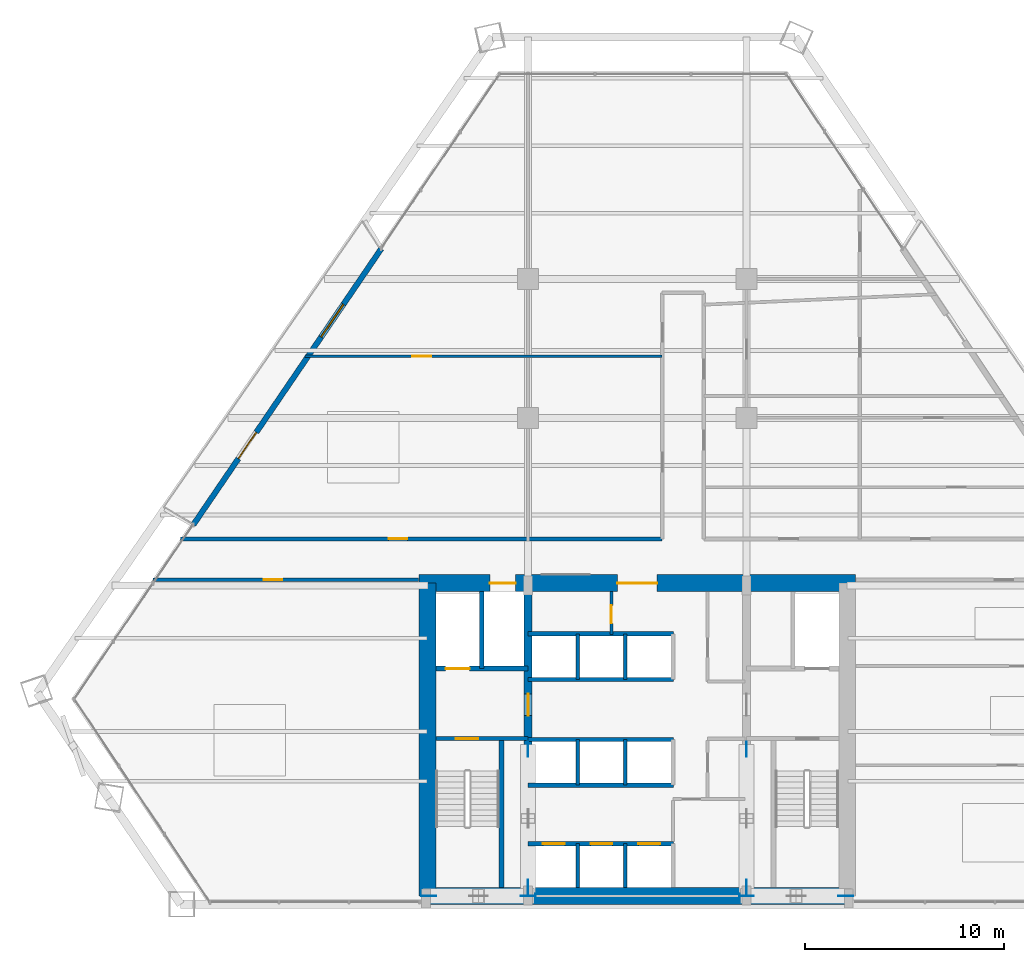
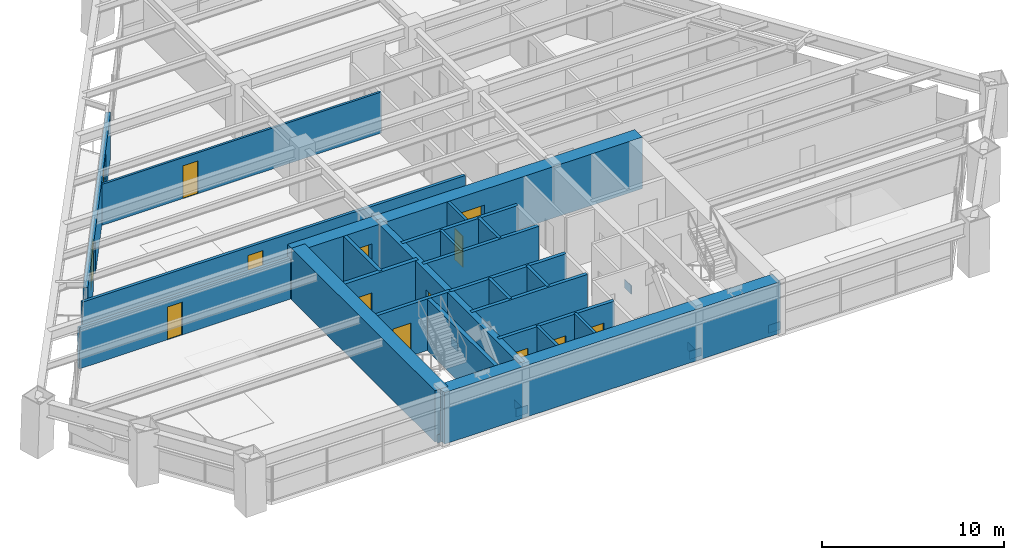
# One storey, part 10 of 14: 24 walls, 13 doors, 8 plates, 1 window, 14 openings.
"""IFC4 building model written with IfcOpenShell, lengths in metres."""

import ifcopenshell
import ifcopenshell.guid

model = None  # the IFC model being written
_history = None  # IfcOwnerHistory: only IFC2X3 demands one
_inside = {}  # id of a spatial element -> (the spatial element, [elements in it])
_under = {}  # id of a project, library or spatial element -> (it, [spatial elements below it])
_declared = {}  # id of a project -> (the project, [libraries it declares])
_typed = {}  # id of a type object -> (the type object, [elements of that type])
_made_of = {}  # id of a material, layer set ... -> (it, [elements and type objects made of it])


def new_model(schema):
    """Start an empty IFC model of exactly this schema.

    Asked for "IFC4X3", IfcOpenShell would pick the latest addendum, in which some entities
    have other attributes; the version numbers below select the first issue.
    IFC2X3 requires an IfcOwnerHistory on every rooted entity: one is made here for all.
    """
    global model, _history
    if schema == "IFC4X3":
        model = ifcopenshell.file(schema_version=(4, 3, 0, 0))
    else:
        model = ifcopenshell.file(schema=schema)
    _inside.clear()
    _under.clear()
    _declared.clear()
    _typed.clear()
    _made_of.clear()
    _history = None
    if model.schema == "IFC2X3":
        org = make("IfcOrganization", Name="unknown")
        user = make(
            "IfcPersonAndOrganization",
            ThePerson=make("IfcPerson", FamilyName="unknown"),
            TheOrganization=org,
        )
        app = make(
            "IfcApplication",
            ApplicationDeveloper=org,
            Version="unknown",
            ApplicationFullName="unknown",
            ApplicationIdentifier="unknown",
        )
        _history = make(
            "IfcOwnerHistory",
            OwningUser=user,
            OwningApplication=app,
            ChangeAction="ADDED",
            CreationDate=0,
        )
    return model


def make(cls, **values):
    """One entity of the class cls with the attributes given. An attribute that is None is left unset."""
    return model.create_entity(
        cls, **{name: value for name, value in values.items() if value is not None}
    )


def rooted(cls, **values):
    """An entity with a GlobalId (a new one), such as an element, a storey or a relation."""
    return make(cls, GlobalId=ifcopenshell.guid.new(), OwnerHistory=_history, **values)


def si_unit(unit_type, name, prefix=None):
    """IfcSIUnit, for example si_unit("LENGTHUNIT", "METRE", prefix="MILLI")."""
    return make("IfcSIUnit", UnitType=unit_type, Prefix=prefix, Name=name)


def assignment(units):
    """IfcUnitAssignment: the units of a project."""
    return None if units is None else make("IfcUnitAssignment", Units=units)


def point(xyz):
    """IfcCartesianPoint."""
    return None if xyz is None else make("IfcCartesianPoint", Coordinates=xyz)


def direction(xyz):
    """IfcDirection."""
    return None if xyz is None else make("IfcDirection", DirectionRatios=xyz)


def frame(location, z_axis=None, x_axis=None):
    """IfcAxis2Placement3D, a coordinate frame: its origin and axes. An axis left out is left unset."""
    return make(
        "IfcAxis2Placement3D",
        Location=point(location),
        Axis=direction(z_axis),
        RefDirection=direction(x_axis),
    )


def frame_2d(location, x_axis=None):
    """IfcAxis2Placement2D, a coordinate frame in the plane: its origin and x axis."""
    return make(
        "IfcAxis2Placement2D", Location=point(location), RefDirection=direction(x_axis)
    )


def origin():
    """The frame at (0, 0, 0) with its axes left unset."""
    return frame((0.0, 0.0, 0.0))


def origin_2d():
    """The frame at (0, 0) in the plane with its x axis left unset."""
    return frame_2d((0.0, 0.0))


def place(relative_to, where):
    """IfcLocalPlacement: puts the frame where relative to a parent placement (None: the world)."""
    return make(
        "IfcLocalPlacement", PlacementRelTo=relative_to, RelativePlacement=where
    )


def context(
    kind, dimensions, precision=None, world=None, true_north=None, identifier=None
):
    """IfcGeometricRepresentationContext, for example the 3D "Model" context."""
    return make(
        "IfcGeometricRepresentationContext",
        ContextIdentifier=identifier,
        ContextType=kind,
        CoordinateSpaceDimension=dimensions,
        Precision=precision,
        WorldCoordinateSystem=world,
        TrueNorth=true_north,
    )


def subcontext(parent, identifier, kind, view, scale=None):
    """IfcGeometricRepresentationSubContext, for example "Body" below "Model"."""
    return make(
        "IfcGeometricRepresentationSubContext",
        ContextIdentifier=identifier,
        ContextType=kind,
        ParentContext=parent,
        TargetScale=scale,
        TargetView=view,
    )


def project(units=None, contexts=None):
    """IfcProject with its units and contexts."""
    return rooted(
        "IfcProject",
        Name="project",
        RepresentationContexts=contexts,
        UnitsInContext=assignment(units),
    )


def spatial(cls, under=None, at=None, **own):
    """A site, building, storey or space (cls), placed at a placement, below another one or the project."""
    s = rooted(cls, ObjectPlacement=at, **own)
    if under is not None:
        _under.setdefault(under.id(), (under, []))[1].append(s)
    return s


def profile(cls, at=None, kind="AREA", **sizes):
    """A parametric profile (cls). Its sizes go by their IFC names, for example OverallWidth=200.0."""
    return make(cls, ProfileType=kind, Position=at, **sizes)


def rectangle(**sizes):
    """IfcRectangleProfileDef."""
    return profile("IfcRectangleProfileDef", **sizes)


def extrude(swept, where, along, depth):
    """IfcExtrudedAreaSolid: the profile swept, set in the frame where, extruded along a direction by depth."""
    return make(
        "IfcExtrudedAreaSolid",
        SweptArea=swept,
        Position=where,
        ExtrudedDirection=direction(along),
        Depth=depth,
    )


def shape(context_of_items, identifier, shape_type, items):
    """IfcShapeRepresentation: the items that make up one representation, for example the "Body"."""
    return make(
        "IfcShapeRepresentation",
        ContextOfItems=context_of_items,
        RepresentationIdentifier=identifier,
        RepresentationType=shape_type,
        Items=items,
    )


def source(mapping_origin, context_of_items, identifier, shape_type, items):
    """IfcRepresentationMap: a shape defined once, which mapped items show again and again."""
    return make(
        "IfcRepresentationMap",
        MappingOrigin=mapping_origin,
        MappedRepresentation=shape(context_of_items, identifier, shape_type, items),
    )


def transform(
    local_origin,
    x_axis=None,
    y_axis=None,
    z_axis=None,
    scale=None,
    scale2=None,
    scale3=None,
    uniform=True,
):
    """IfcCartesianTransformationOperator3D, or its non-uniform kind. x_axis, y_axis, z_axis: its Axis1, 2, 3."""
    if uniform:
        return make(
            "IfcCartesianTransformationOperator3D",
            Axis1=direction(x_axis),
            Axis2=direction(y_axis),
            LocalOrigin=point(local_origin),
            Scale=scale,
            Axis3=direction(z_axis),
        )
    return make(
        "IfcCartesianTransformationOperator3DnonUniform",
        Axis1=direction(x_axis),
        Axis2=direction(y_axis),
        LocalOrigin=point(local_origin),
        Scale=scale,
        Axis3=direction(z_axis),
        Scale2=scale2,
        Scale3=scale3,
    )


def mapped(mapping_source, mapping_target):
    """IfcMappedItem: shows the shape of a source again, moved by a transform."""
    return make(
        "IfcMappedItem", MappingSource=mapping_source, MappingTarget=mapping_target
    )


def material(Name=None, Category=None):
    """IfcMaterial."""
    return make("IfcMaterial", Name=Name, Category=Category)


def layer(
    of_material, thickness, ventilated=None, Name=None, Category=None, Priority=None
):
    """IfcMaterialLayer: one layer of a wall or slab, of a material (None: an air gap)."""
    return make(
        "IfcMaterialLayer",
        Material=of_material,
        LayerThickness=thickness,
        IsVentilated=ventilated,
        Name=Name,
        Category=Category,
        Priority=Priority,
    )


def layer_set(layers, Name=None):
    """IfcMaterialLayerSet."""
    return make("IfcMaterialLayerSet", MaterialLayers=layers, LayerSetName=Name)


def made_of(thing, what):
    """Note that an element or type object is made of a material, layer set ...; save() writes the relation."""
    if what is not None:
        _made_of.setdefault(what.id(), (what, []))[1].append(thing)
    return thing


def type_object(cls, material=None, **own):
    """A type object (cls), such as IfcWallType, which elements share."""
    return made_of(rooted(cls, **own), material)


def type_shapes(of_type, sources):
    """Give a type object the sources (RepresentationMaps) that its elements show as mapped items."""
    of_type.RepresentationMaps = sources


def element(
    cls,
    number,
    at=None,
    inside=None,
    cuts=None,
    type_object=None,
    material=None,
    context=None,
    identifier="Body",
    shape_type=None,
    held_by="IfcProductDefinitionShape",
    body=None,
    shapes=None,
    **own,
):
    """One element of the class cls, such as IfcWall. Its Tag is "e" and its number.

    at: its placement. inside: the storey or other place that contains it. cuts: it is an
    opening in that element (IfcRelVoidsElement). A single representation is given by context,
    identifier, shape_type and body (its items); several are given by shapes. held_by: the class
    of the entity that holds the representations. save() writes the other relations.
    """
    e = rooted(cls, Tag="e%d" % number, ObjectPlacement=at, **own)
    if body is not None:
        shapes = [shape(context, identifier, shape_type, body)]
    if shapes is not None:
        e.Representation = make(held_by, Representations=shapes)
    if inside is not None:
        _inside.setdefault(inside.id(), (inside, []))[1].append(e)
    if cuts is not None:
        rooted(
            "IfcRelVoidsElement", RelatingBuildingElement=cuts, RelatedOpeningElement=e
        )
    if type_object is not None:
        _typed.setdefault(type_object.id(), (type_object, []))[1].append(e)
    return made_of(e, material)


def fill(opening, filler):
    """IfcRelFillsElement: the door or window that sits in an opening."""
    return rooted(
        "IfcRelFillsElement",
        RelatingOpeningElement=opening,
        RelatedBuildingElement=filler,
    )


def aggregate(whole, parts):
    """IfcRelAggregates: a whole, such as a stair, and the parts it consists of."""
    return rooted("IfcRelAggregates", RelatingObject=whole, RelatedObjects=parts)


def save(model, path):
    """Write the relations noted so far, then the file.

    IfcRelAggregates (storeys below a building ...), IfcRelContainedInSpatialStructure (elements
    in a storey), IfcRelDefinesByType, IfcRelAssociatesMaterial and IfcRelDeclares: one each for
    every whole, place, type object, material and project.
    """
    for whole, parts in _under.values():
        aggregate(whole, parts)
    for where, things in _inside.values():
        rooted(
            "IfcRelContainedInSpatialStructure",
            RelatedElements=things,
            RelatingStructure=where,
        )
    for kind, things in _typed.values():
        rooted("IfcRelDefinesByType", RelatedObjects=things, RelatingType=kind)
    for what, things in _made_of.values():
        rooted("IfcRelAssociatesMaterial", RelatedObjects=things, RelatingMaterial=what)
    for by, libraries in _declared.values():
        rooted("IfcRelDeclares", RelatingContext=by, RelatedDefinitions=libraries)
    model.write(path)


model = new_model("IFC4")

# Units and contexts
model_context = context("Model", 3, precision=1e-05, world=origin(), true_north=direction((0.0, 1.0)))
body_context = subcontext(model_context, "Body", "Model", "MODEL_VIEW")
ifc_project = project(units=[si_unit("LENGTHUNIT", "METRE"), si_unit("AREAUNIT", "SQUARE_METRE"), si_unit("VOLUMEUNIT", "CUBIC_METRE"), si_unit("PLANEANGLEUNIT", "RADIAN"), si_unit("MASSUNIT", "GRAM", prefix="KILO")], contexts=[model_context])

# Site, building, storey
site_placement = place(None, origin())
site = spatial("IfcSite", under=ifc_project, at=site_placement, CompositionType="ELEMENT")
building_placement = place(site_placement, origin())
building = spatial("IfcBuilding", under=site, at=building_placement, Name="Varnakhor Terracotta Tower", CompositionType="ELEMENT")
storey_placement = place(building_placement, frame((0.0, 0.0, 53.39990234375)))
storey = spatial("IfcBuildingStorey", under=building, at=storey_placement, Name="L12", CompositionType="ELEMENT", Elevation=53.39990234375)

# Plates
ifc_material_1 = material(Name="Steel S460", Category="steel")
ifc_layer_1 = layer(ifc_material_1, 0.050048828125, Name="Steel S460")
ifc_layer_set_1 = layer_set([ifc_layer_1], Name="Steel S460")
plate_type = type_object("IfcPlateType", Name="PLT-GUSSET-50", PredefinedType="USERDEFINED", material=ifc_layer_set_1)
shared_shape_1 = source(origin(), body_context, "Body", "SweptSolid", [
    extrude(rectangle(XDim=0.75, YDim=0.0400390625, at=origin_2d()), origin(), (0.0, 0.0, 1.0), 0.550048828125),
])
type_shapes(plate_type, [shared_shape_1])
for number, where, z_axis, x_axis, name in (
    (1, (-10.5, 0.419921875, -0.0947265625), (0.0, 0.0, 1.0), (1.0, 0.0, 0.0), "L12 Core Brace Embed Plate CSWA"),
    (2, (-5.5, 0.419921875, -0.0947265625), (0.0, 0.0, 1.0), (1.0, 0.0, 0.0), "L12 Core Brace Embed Plate CSWB"),
    (3, (5.5, 0.419921875, -0.0947265625), (0.0, 0.0, 1.0), (1.0, 0.0, 0.0), "L12 Core Brace Embed Plate CSEA"),
    (4, (10.5, 0.419921875, -0.0947265625), (0.0, 0.0, 1.0), (1.0, 0.0, 0.0), "L12 Core Brace Embed Plate CSEB"),
    (5, (-5.5, 0.85009765625, -0.0947265625), (0.0, 0.0, 1.0), (0.0, 1.0, 0.0), "L12 Core Brace Embed Plate CWWA"),
    (6, (-5.5, 7.800048828125, -0.0947265625), (0.0, 0.0, 1.0), (0.0, 1.0, 0.0), "L12 Core Brace Embed Plate CWWB"),
    (7, (5.5, 0.85009765625, -0.0947265625), (0.0, 0.0, 1.0), (0.0, 1.0, 0.0), "L12 Core Brace Embed Plate CWEA"),
    (8, (5.5, 7.800048828125, -0.0947265625), (0.0, 0.0, 1.0), (0.0, 1.0, 0.0), "L12 Core Brace Embed Plate CWEB"),
):
    element("IfcPlate", number, at=place(storey_placement, frame(where, z_axis=z_axis, x_axis=x_axis)), inside=storey, type_object=plate_type, Name=name, ObjectType="GUSSET PLATE", PredefinedType="USERDEFINED", context=body_context, shape_type="MappedRepresentation", body=[
        mapped(shared_shape_1, transform((0.0, 0.0, 0.0), scale=1.0)),
    ])

# Wall
ifc_material_2 = material(Name="Concrete C60/75", Category="concrete")
ifc_layer_2 = layer(ifc_material_2, 0.85009765625, Name="Concrete C60/75")
ifc_layer_set_2 = layer_set([ifc_layer_2], Name="Concrete C60/75")
wall_type_1 = type_object("IfcWallType", Name="WAL-CORE-850", PredefinedType="SHEAR", material=ifc_layer_set_2)
wall_1_placement = place(storey_placement, frame((-10.64990234375, 0.425048828125, 0.0), z_axis=(0.0, 0.0, 1.0), x_axis=(1.0, 0.0, 0.0)))
element("IfcWall", 9, at=wall_1_placement, inside=storey, type_object=wall_type_1, Name="L12 South Core Shear Wall", PredefinedType="SHEAR", context=body_context, shape_type="SweptSolid", body=[
    extrude(rectangle(XDim=21.2998046875, YDim=0.85009765625, at=frame_2d((10.64990234375, 0.0))), origin(), (0.0, 0.0, 1.0), 3.4501953125),
])

# Wall, openings, doors
wall_2_placement = place(storey_placement, frame((-11.0, 16.175048828125, 0.0), z_axis=(0.0, 0.0, 1.0), x_axis=(1.0, 0.0, 0.0)))
wall_2 = element("IfcWall", 10, at=wall_2_placement, inside=storey, type_object=wall_type_1, Name="L12 North Core Shear Wall", PredefinedType="SHEAR", context=body_context, shape_type="SweptSolid", body=[
    extrude(rectangle(XDim=22.0, YDim=0.85009765625, at=frame_2d((11.0, 0.0))), origin(), (0.0, 0.0, 1.0), 3.4501953125),
])
opening_1_placement = place(wall_2_placement, frame((3.570068359375, 0.0, 0.0)))
opening_1 = element("IfcOpeningElement", 11, at=opening_1_placement, cuts=wall_2, Name="Opening LD-03", PredefinedType="OPENING", context=body_context, shape_type="SweptSolid", body=[
    extrude(rectangle(XDim=1.300048828125, YDim=2.300048828125, at=frame_2d((0.64990234375, 1.14990234375))), frame((0.0, 0.43505859375, 0.0), z_axis=(0.0, -1.0, 0.0), x_axis=(1.0, 0.0, 0.0)), (0.0, 0.0, 1.0), 0.8701171875),
])
opening_2_placement = place(wall_2_placement, frame((10.0, 0.0, 0.0)))
opening_2 = element("IfcOpeningElement", 12, at=opening_2_placement, cuts=wall_2, Name="Opening DR-32", PredefinedType="OPENING", context=body_context, shape_type="SweptSolid", body=[
    extrude(rectangle(XDim=2.0, YDim=2.39990234375, at=frame_2d((1.0, 1.199951171875))), frame((0.0, 0.43505859375, 0.0), z_axis=(0.0, -1.0, 0.0), x_axis=(1.0, 0.0, 0.0)), (0.0, 0.0, 1.0), 0.8701171875),
])
ifc_material_3 = material(Name="Heavy-Duty Goods Sliding Lift Landing Door", Category="steel")
door_type_1 = type_object("IfcDoorType", Name="LD-SRV-1300X2300", OperationType="NOTDEFINED", PredefinedType="DOOR", material=ifc_material_3)
shared_shape_2 = source(origin(), body_context, "Body", "SweptSolid", [
    extrude(rectangle(XDim=1.300048828125, YDim=2.300048828125, at=frame_2d((0.64990234375, 1.14990234375))), frame((0.0, 0.02490234375, 0.0), z_axis=(0.0, -1.0, 0.0), x_axis=(1.0, 0.0, 0.0)), (0.0, 0.0, 1.0), 0.050048828125),
])
type_shapes(door_type_1, [shared_shape_2])
door_1_placement = place(opening_1_placement, origin())
door_1 = element("IfcDoor", 13, at=door_1_placement, inside=storey, type_object=door_type_1, Name="L12 Service Lift SVL-1 Landing Door", OperationType="SLIDING_TO_RIGHT", OverallHeight=2.300048828125, OverallWidth=1.300048828125, PredefinedType="DOOR", context=body_context, shape_type="MappedRepresentation", body=[
    mapped(shared_shape_2, transform((0.0, 0.0, 0.0), scale=1.0)),
])
fill(opening_1, door_1)
ifc_material_4 = material(Name="Acoustic Double Assembly Fire Door", Category="wood")
door_type_2 = type_object("IfcDoorType", Name="DR-HALL-2000X2400", OperationType="NOTDEFINED", PredefinedType="DOOR", material=ifc_material_4)
shared_shape_3 = source(origin(), body_context, "Body", "SweptSolid", [
    extrude(rectangle(XDim=2.0, YDim=2.39990234375, at=frame_2d((1.0, 1.199951171875))), frame((0.0, 0.02490234375, 0.0), z_axis=(0.0, -1.0, 0.0), x_axis=(1.0, 0.0, 0.0)), (0.0, 0.0, 1.0), 0.050048828125),
])
type_shapes(door_type_2, [shared_shape_3])
door_2_placement = place(opening_2_placement, origin())
door_2 = element("IfcDoor", 14, at=door_2_placement, inside=storey, type_object=door_type_2, Name="L12 Core Main Lobby Double Door", OperationType="DOUBLE_DOOR_SINGLE_SWING", OverallHeight=2.39990234375, OverallWidth=2.0, PredefinedType="DOOR", context=body_context, shape_type="MappedRepresentation", body=[
    mapped(shared_shape_3, transform((0.0, 0.0, 0.0), scale=1.0)),
])
fill(opening_2, door_2)

# Wall
wall_3_placement = place(storey_placement, frame((-10.574951171875, 0.425048828125, 0.0), z_axis=(0.0, 0.0, 1.0), x_axis=(0.0, 1.0, 0.0)))
element("IfcWall", 15, at=wall_3_placement, inside=storey, type_object=wall_type_1, Name="L12 West Core Shear Wall", PredefinedType="SHEAR", context=body_context, shape_type="SweptSolid", body=[
    extrude(rectangle(XDim=15.75, YDim=0.85009765625, at=frame_2d((7.875, 0.0))), origin(), (0.0, 0.0, 1.0), 3.4501953125),
])

# Wall, opening, door
ifc_material_5 = material(Name="Concrete C50/60", Category="concrete")
ifc_layer_3 = layer(ifc_material_5, 0.39990234375, Name="Concrete C50/60")
ifc_layer_set_3 = layer_set([ifc_layer_3], Name="Concrete C50/60")
wall_type_2 = type_object("IfcWallType", Name="WAL-CORE-WEB-400", PredefinedType="SHEAR", material=ifc_layer_set_3)
wall_4_placement = place(storey_placement, frame((-5.5, 0.425048828125, 0.0), z_axis=(0.0, 0.0, 1.0), x_axis=(0.0, 1.0, 0.0)))
wall_4 = element("IfcWall", 16, at=wall_4_placement, inside=storey, type_object=wall_type_2, Name="L12 West Core Web Shear Wall", PredefinedType="SHEAR", context=body_context, shape_type="SweptSolid", body=[
    extrude(rectangle(XDim=15.75, YDim=0.39990234375, at=frame_2d((7.875, 0.0))), origin(), (0.0, 0.0, 1.0), 3.4501953125),
])
opening_3_placement = place(wall_4_placement, frame((9.074951171875, 0.0, 0.0)))
opening_3 = element("IfcOpeningElement", 17, at=opening_3_placement, cuts=wall_4, Name="Opening DR-25", PredefinedType="OPENING", context=body_context, shape_type="SweptSolid", body=[
    extrude(rectangle(XDim=1.10009765625, YDim=2.199951171875, at=frame_2d((0.550048828125, 1.10009765625))), frame((0.0, 0.2099609375, 0.0), z_axis=(0.0, -1.0, 0.0), x_axis=(1.0, 0.0, 0.0)), (0.0, 0.0, 1.0), 0.419921875),
])
ifc_material_6 = material(Name="Firefighting Lobby Self-Closing Fire Door", Category="steel")
door_type_3 = type_object("IfcDoorType", Name="DR-FFL-1100X2200", OperationType="NOTDEFINED", PredefinedType="DOOR", material=ifc_material_6)
shared_shape_4 = source(origin(), body_context, "Body", "SweptSolid", [
    extrude(rectangle(XDim=1.10009765625, YDim=2.199951171875, at=frame_2d((0.550048828125, 1.10009765625))), frame((0.0, 0.02490234375, 0.0), z_axis=(0.0, -1.0, 0.0), x_axis=(1.0, 0.0, 0.0)), (0.0, 0.0, 1.0), 0.050048828125),
])
type_shapes(door_type_3, [shared_shape_4])
door_3_placement = place(opening_3_placement, origin())
door_3 = element("IfcDoor", 18, at=door_3_placement, inside=storey, type_object=door_type_3, Name="L12 West Firefighting Lobby Door", OperationType="SINGLE_SWING_RIGHT", OverallHeight=2.199951171875, OverallWidth=1.10009765625, PredefinedType="DOOR", context=body_context, shape_type="MappedRepresentation", body=[
    mapped(shared_shape_4, transform((0.0, 0.0, 0.0), scale=1.0)),
])
fill(opening_3, door_3)

ifc_material_7 = material(Name="Fire-Rated Gypsum Stud Partition", Category="gypsum")
ifc_layer_4 = layer(ifc_material_7, 0.18505859375, Name="Fire-Rated Gypsum Stud Partition")
ifc_layer_set_4 = layer_set([ifc_layer_4], Name="Fire-Rated Gypsum Stud Partition")
wall_type_3 = type_object("IfcWallType", Name="WAL-CORR-185", PredefinedType="PARTITIONING", material=ifc_layer_set_4)
wall_5_placement = place(storey_placement, frame((-24.399169921875, 16.35009765625, 0.0), z_axis=(0.0, 0.0, 1.0), x_axis=(1.0, 0.0, 0.0)))
wall_5 = element("IfcWall", 19, at=wall_5_placement, inside=storey, type_object=wall_type_3, Name="L12 South West Corridor Wall", PredefinedType="PARTITIONING", context=body_context, shape_type="SweptSolid", body=[
    extrude(rectangle(XDim=13.379150390625, YDim=0.18505859375, at=frame_2d((6.689453125, 0.0))), origin(), (0.0, 0.0, 1.0), 2.7470703125),
])
opening_4_placement = place(wall_5_placement, frame((5.57958984375, 0.0, 0.0)))
opening_4 = element("IfcOpeningElement", 20, at=opening_4_placement, cuts=wall_5, Name="Opening DR-94", PredefinedType="OPENING", context=body_context, shape_type="SweptSolid", body=[
    extrude(rectangle(XDim=0.949951171875, YDim=2.199951171875, at=frame_2d((0.47509765625, 1.10009765625))), frame((0.0, 0.1025390625, 0.0), z_axis=(0.0, -1.0, 0.0), x_axis=(1.0, 0.0, 0.0)), (0.0, 0.0, 1.0), 0.205078125),
])
ifc_material_8 = material(Name="Acoustic Glazed-Vision Timber Office Door", Category="wood")
door_type_4 = type_object("IfcDoorType", Name="DR-OFF-950X2200", OperationType="NOTDEFINED", PredefinedType="DOOR", material=ifc_material_8)
shared_shape_5 = source(origin(), body_context, "Body", "SweptSolid", [
    extrude(rectangle(XDim=0.949951171875, YDim=2.199951171875, at=frame_2d((0.47509765625, 1.10009765625))), frame((0.0, 0.02490234375, 0.0), z_axis=(0.0, -1.0, 0.0), x_axis=(1.0, 0.0, 0.0)), (0.0, 0.0, 1.0), 0.050048828125),
])
type_shapes(door_type_4, [shared_shape_5])
door_4_placement = place(opening_4_placement, origin())
door_4 = element("IfcDoor", 21, at=door_4_placement, inside=storey, type_object=door_type_4, Name="L12 SW Suite Door", OperationType="SINGLE_SWING_LEFT", OverallHeight=2.199951171875, OverallWidth=0.949951171875, PredefinedType="DOOR", context=body_context, shape_type="MappedRepresentation", body=[
    mapped(shared_shape_5, transform((0.0, 0.0, 0.0), scale=1.0)),
])
fill(opening_4, door_4)

wall_6_placement = place(storey_placement, frame((-23.00341796875, 18.39990234375, 0.0), z_axis=(0.0, 0.0, 1.0), x_axis=(1.0, 0.0, 0.0)))
wall_6 = element("IfcWall", 22, at=wall_6_placement, inside=storey, type_object=wall_type_3, Name="L12 Corridor North West Wall", PredefinedType="PARTITIONING", context=body_context, shape_type="SweptSolid", body=[
    extrude(rectangle(XDim=24.25341796875, YDim=0.18505859375, at=frame_2d((12.126708984375, 0.0))), origin(), (0.0, 0.0, 1.0), 2.7470703125),
])
opening_5_placement = place(wall_6_placement, frame((10.47314453125, 0.0, 0.0)))
opening_5 = element("IfcOpeningElement", 23, at=opening_5_placement, cuts=wall_6, Name="Opening DR-94", PredefinedType="OPENING", context=body_context, shape_type="SweptSolid", body=[
    extrude(rectangle(XDim=0.949951171875, YDim=2.199951171875, at=frame_2d((0.47509765625, 1.10009765625))), frame((0.0, 0.1025390625, 0.0), z_axis=(0.0, -1.0, 0.0), x_axis=(1.0, 0.0, 0.0)), (0.0, 0.0, 1.0), 0.205078125),
])
door_5_placement = place(opening_5_placement, origin())
door_5 = element("IfcDoor", 24, at=door_5_placement, inside=storey, type_object=door_type_4, Name="L12 West Workplace Door", OperationType="SINGLE_SWING_LEFT", OverallHeight=2.199951171875, OverallWidth=0.949951171875, PredefinedType="DOOR", context=body_context, shape_type="MappedRepresentation", body=[
    mapped(shared_shape_5, transform((0.0, 0.0, 0.0), scale=1.0)),
])
fill(opening_5, door_5)

# Wall, openings, door, window
ifc_material_9 = material(Name="Extruded Architectural Terracotta Assembly", Category="masonry")
ifc_layer_5 = layer(ifc_material_9, 0.280029296875, Name="Extruded Architectural Terracotta Assembly")
ifc_layer_set_5 = layer_set([ifc_layer_5], Name="Extruded Architectural Terracotta Assembly")
wall_type_4 = type_object("IfcWallType", Name="WAL-EXT-TERRACOTTA-280", PredefinedType="SOLIDWALL", material=ifc_layer_set_5)
wall_7_placement = place(storey_placement, frame((-22.360107421875, 19.1142578125, 0.0), z_axis=(0.0, 0.0, 1.0), x_axis=(0.562772191564, 0.826612037417, 0.0)))
wall_7 = element("IfcWall", 25, at=wall_7_placement, inside=storey, type_object=wall_type_4, Name="L12 W Loggia Insulated Terracotta Wall", PredefinedType="SOLIDWALL", context=body_context, shape_type="SweptSolid", body=[
    extrude(rectangle(XDim=16.815185546875, YDim=0.280029296875, at=frame_2d((8.40771484375, 0.0))), origin(), (0.0, 0.0, 1.0), 3.030029296875),
])
opening_6_placement = place(wall_7_placement, frame((4.03564453125, 0.0, 0.0)))
opening_6 = element("IfcOpeningElement", 26, at=opening_6_placement, cuts=wall_7, Name="Opening DR-62", PredefinedType="OPENING", context=body_context, shape_type="SweptSolid", body=[
    extrude(rectangle(XDim=1.60009765625, YDim=2.35009765625, at=frame_2d((0.800048828125, 1.175048828125))), frame((0.0, 0.14990234375, 0.0), z_axis=(0.0, -1.0, 0.0), x_axis=(1.0, 0.0, 0.0)), (0.0, 0.0, 1.0), 0.300048828125),
])
opening_7_placement = place(wall_7_placement, frame((11.434326171875, 0.0, 0.89990234375)))
opening_7 = element("IfcOpeningElement", 27, at=opening_7_placement, cuts=wall_7, Name="Opening WN-26", PredefinedType="OPENING", context=body_context, shape_type="SweptSolid", body=[
    extrude(rectangle(XDim=2.0, YDim=1.85009765625, at=frame_2d((1.0, 0.925048828125))), frame((0.0, 0.14990234375, 0.0), z_axis=(0.0, -1.0, 0.0), x_axis=(1.0, 0.0, 0.0)), (0.0, 0.0, 1.0), 0.300048828125),
])
ifc_material_10 = material(Name="Thermally Broken Sliding Glass Loggia Door", Category="glass")
door_type_5 = type_object("IfcDoorType", Name="DR-EXT-LOGGIA-1600X2350", OperationType="NOTDEFINED", PredefinedType="DOOR", material=ifc_material_10)
shared_shape_6 = source(origin(), body_context, "Body", "SweptSolid", [
    extrude(rectangle(XDim=1.60009765625, YDim=2.35009765625, at=frame_2d((0.800048828125, 1.175048828125))), frame((0.0, 0.02490234375, 0.0), z_axis=(0.0, -1.0, 0.0), x_axis=(1.0, 0.0, 0.0)), (0.0, 0.0, 1.0), 0.050048828125),
])
type_shapes(door_type_5, [shared_shape_6])
door_6_placement = place(opening_6_placement, origin())
door_6 = element("IfcDoor", 28, at=door_6_placement, inside=storey, type_object=door_type_5, Name="L12 W Recessed Loggia Sliding Door", OperationType="SLIDING_TO_LEFT", OverallHeight=2.35009765625, OverallWidth=1.60009765625, PredefinedType="DOOR", context=body_context, shape_type="MappedRepresentation", body=[
    mapped(shared_shape_6, transform((0.0, 0.0, 0.0), scale=1.0)),
])
fill(opening_6, door_6)
ifc_material_11 = material(Name="Solar-Control Low-E Insulated Glass Unit", Category="glass")
window_type = type_object("IfcWindowType", Name="WIN-OFF-2200X2100", PartitioningType="SINGLE_PANEL", PredefinedType="WINDOW", material=ifc_material_11)
shared_shape_7 = source(origin(), body_context, "Body", "SweptSolid", [
    extrude(rectangle(XDim=2.0, YDim=1.85009765625, at=frame_2d((1.0, 0.925048828125))), frame((0.0, 0.030029296875, 0.0), z_axis=(0.0, -1.0, 0.0), x_axis=(1.0, 0.0, 0.0)), (0.0, 0.0, 1.0), 0.06005859375),
])
type_shapes(window_type, [shared_shape_7])
window_placement = place(opening_7_placement, origin())
window = element("IfcWindow", 29, at=window_placement, inside=storey, type_object=window_type, Name="L12 W Facet Punched Window", OverallHeight=1.85009765625, OverallWidth=2.0, PartitioningType="SINGLE_PANEL", PredefinedType="WINDOW", context=body_context, shape_type="MappedRepresentation", body=[
    mapped(shared_shape_7, transform((0.0, 0.0, 0.0), scale=1.0)),
])
fill(opening_7, window)

# Wall, opening, door
ifc_material_12 = material(Name="Concrete C40/50", Category="concrete")
ifc_layer_6 = layer(ifc_material_12, 0.219970703125, Name="Concrete C40/50")
ifc_layer_set_6 = layer_set([ifc_layer_6], Name="Concrete C40/50")
wall_type_5 = type_object("IfcWallType", Name="WAL-FFLOBBY-220", PredefinedType="SOLIDWALL", material=ifc_layer_set_6)
wall_8_placement = place(storey_placement, frame((-5.5, 8.35009765625, 0.0), z_axis=(0.0, 0.0, 1.0), x_axis=(-1.0, 0.0, 0.0)))
wall_8 = element("IfcWall", 30, at=wall_8_placement, inside=storey, type_object=wall_type_5, Name="L12 West Firefighting Lobby Stair Wall", PredefinedType="SOLIDWALL", context=body_context, shape_type="SweptSolid", body=[
    extrude(rectangle(XDim=4.64990234375, YDim=0.219970703125, at=frame_2d((2.324951171875, 0.0))), origin(), (0.0, 0.0, 1.0), 3.4501953125),
])
opening_8_placement = place(wall_8_placement, frame((2.5, 0.0, 0.0)))
opening_8 = element("IfcOpeningElement", 31, at=opening_8_placement, cuts=wall_8, Name="Opening DR-34", PredefinedType="OPENING", context=body_context, shape_type="SweptSolid", body=[
    extrude(rectangle(XDim=1.14990234375, YDim=2.199951171875, at=frame_2d((0.574951171875, 1.10009765625))), frame((0.0, 0.1201171875, 0.0), z_axis=(0.0, -1.0, 0.0), x_axis=(1.0, 0.0, 0.0)), (0.0, 0.0, 1.0), 0.239990234375),
])
ifc_material_13 = material(Name="Self-Closing Smoke-Sealed Steel Fire Door", Category="steel")
door_type_6 = type_object("IfcDoorType", Name="DR-STAIR-1150X2200", OperationType="NOTDEFINED", PredefinedType="DOOR", material=ifc_material_13)
shared_shape_8 = source(origin(), body_context, "Body", "SweptSolid", [
    extrude(rectangle(XDim=1.14990234375, YDim=2.199951171875, at=frame_2d((0.574951171875, 1.10009765625))), frame((0.0, 0.02490234375, 0.0), z_axis=(0.0, -1.0, 0.0), x_axis=(1.0, 0.0, 0.0)), (0.0, 0.0, 1.0), 0.050048828125),
])
type_shapes(door_type_6, [shared_shape_8])
door_7_placement = place(opening_8_placement, origin())
door_7 = element("IfcDoor", 32, at=door_7_placement, inside=storey, type_object=door_type_6, Name="L12 Exit Stair ST-1 Fire Door", OperationType="SINGLE_SWING_LEFT", OverallHeight=2.199951171875, OverallWidth=1.14990234375, PredefinedType="DOOR", context=body_context, shape_type="MappedRepresentation", body=[
    mapped(shared_shape_8, transform((0.0, 0.0, 0.0), scale=1.0)),
])
fill(opening_8, door_7)

ifc_material_14 = material(Name="Acoustic Metal-Stud Partition", Category="gypsum")
ifc_layer_7 = layer(ifc_material_14, 0.139892578125, Name="Acoustic Metal-Stud Partition")
ifc_layer_set_7 = layer_set([ifc_layer_7], Name="Acoustic Metal-Stud Partition")
wall_type_6 = type_object("IfcWallType", Name="WAL-PART-140", PredefinedType="PARTITIONING", material=ifc_layer_set_7)
wall_9_placement = place(storey_placement, frame((-16.740234375, 27.60009765625, 0.0), z_axis=(0.0, 0.0, 1.0), x_axis=(1.0, 0.0, 0.0)))
wall_9 = element("IfcWall", 33, at=wall_9_placement, inside=storey, type_object=wall_type_6, Name="L12 West Wing Cut 1", PredefinedType="PARTITIONING", context=body_context, shape_type="SweptSolid", body=[
    extrude(rectangle(XDim=17.990234375, YDim=0.139892578125, at=frame_2d((8.9951171875, 0.0))), origin(), (0.0, 0.0, 1.0), 2.7470703125),
])
opening_9_placement = place(wall_9_placement, frame((5.418212890625, 0.0, 0.0)))
opening_9 = element("IfcOpeningElement", 34, at=opening_9_placement, cuts=wall_9, Name="Opening DR-94", PredefinedType="OPENING", context=body_context, shape_type="SweptSolid", body=[
    extrude(rectangle(XDim=0.949951171875, YDim=2.199951171875, at=frame_2d((0.47509765625, 1.10009765625))), frame((0.0, 0.080078125, 0.0), z_axis=(0.0, -1.0, 0.0), x_axis=(1.0, 0.0, 0.0)), (0.0, 0.0, 1.0), 0.159912109375),
])
door_8_placement = place(opening_9_placement, origin())
door_8 = element("IfcDoor", 35, at=door_8_placement, inside=storey, type_object=door_type_4, Name="L12 Espresso Pantry Door", OperationType="SINGLE_SWING_RIGHT", OverallHeight=2.199951171875, OverallWidth=0.949951171875, PredefinedType="DOOR", context=body_context, shape_type="MappedRepresentation", body=[
    mapped(shared_shape_5, transform((0.0, 0.0, 0.0), scale=1.0)),
])
fill(opening_9, door_8)

# Walls
ifc_layer_8 = layer(ifc_material_12, 0.179931640625, Name="Concrete C40/50")
ifc_layer_set_8 = layer_set([ifc_layer_8], Name="Concrete C40/50")
wall_type_7 = type_object("IfcWallType", Name="WAL-SHAFT-180", PredefinedType="SOLIDWALL", material=ifc_layer_set_8)
for number, where, z_axis, x_axis, name in (
    (36, (-3.0, 0.85009765625, 0.0), (0.0, 0.0, 1.0), (0.0, 1.0, 0.0), "L12 PL-1A Divider"),
    (37, (-0.60009765625, 0.85009765625, 0.0), (0.0, 0.0, 1.0), (0.0, 1.0, 0.0), "L12 PL-1B Divider"),
):
    element("IfcWall", number, at=place(storey_placement, frame(where, z_axis=z_axis, x_axis=x_axis)), inside=storey, type_object=wall_type_7, Name=name, PredefinedType="SOLIDWALL", context=body_context, shape_type="SweptSolid", body=[
        extrude(rectangle(XDim=2.199951171875, YDim=0.179931640625, at=frame_2d((1.10009765625, 0.0))), origin(), (0.0, 0.0, 1.0), 3.4501953125),
    ])
for number, where, z_axis, x_axis, name in (
    (38, (-3.0, 6.0, 0.0), (0.0, 0.0, 1.0), (0.0, 1.0, 0.0), "L12 PL-2A Divider"),
    (39, (-0.60009765625, 6.0, 0.0), (0.0, 0.0, 1.0), (0.0, 1.0, 0.0), "L12 PL-2B Divider"),
    (40, (-3.0, 11.320068359375, 0.0), (0.0, 0.0, 1.0), (0.0, 1.0, 0.0), "L12 PL-3A Divider"),
    (41, (-0.60009765625, 11.320068359375, 0.0), (0.0, 0.0, 1.0), (0.0, 1.0, 0.0), "L12 PL-3B Divider"),
):
    element("IfcWall", number, at=place(storey_placement, frame(where, z_axis=z_axis, x_axis=x_axis)), inside=storey, type_object=wall_type_7, Name=name, PredefinedType="SOLIDWALL", context=body_context, shape_type="SweptSolid", body=[
        extrude(rectangle(XDim=2.300048828125, YDim=0.179931640625, at=frame_2d((1.14990234375, 0.0))), origin(), (0.0, 0.0, 1.0), 3.4501953125),
    ])
ifc_layer_9 = layer(ifc_material_12, 0.219970703125, Name="Concrete C40/50")
ifc_layer_set_9 = layer_set([ifc_layer_9], Name="Concrete C40/50")
wall_type_8 = type_object("IfcWallType", Name="WAL-SHAFT-220", PredefinedType="SOLIDWALL", material=ifc_layer_set_9)
wall_10_placement = place(storey_placement, frame((-7.840087890625, 11.8701171875, 0.0), z_axis=(0.0, 0.0, 1.0), x_axis=(0.0, 1.0, 0.0)))
element("IfcWall", 42, at=wall_10_placement, inside=storey, type_object=wall_type_8, Name="L12 Lift FFL-1 and SVL-1 Divider Wall", PredefinedType="SOLIDWALL", context=body_context, shape_type="SweptSolid", body=[
    extrude(rectangle(XDim=3.8798828125, YDim=0.219970703125, at=frame_2d((1.93994140625, 0.0))), origin(), (0.0, 0.0, 1.0), 3.4501953125),
])

# Wall, openings, doors
wall_11_placement = place(storey_placement, frame((-5.5, 3.050048828125, 0.0), z_axis=(0.0, 0.0, 1.0), x_axis=(1.0, 0.0, 0.0)))
wall_11 = element("IfcWall", 43, at=wall_11_placement, inside=storey, type_object=wall_type_8, Name="L12 Bank 1 Lift Shaft Wall", PredefinedType="SOLIDWALL", context=body_context, shape_type="SweptSolid", body=[
    extrude(rectangle(XDim=7.320068359375, YDim=0.219970703125, at=frame_2d((3.66015625, 0.0))), origin(), (0.0, 0.0, 1.0), 3.4501953125),
])
opening_10_placement = place(wall_11_placement, frame((0.75, 0.0, 0.0)))
opening_10 = element("IfcOpeningElement", 44, at=opening_10_placement, cuts=wall_11, Name="Opening LD-01", PredefinedType="OPENING", context=body_context, shape_type="SweptSolid", body=[
    extrude(rectangle(XDim=1.10009765625, YDim=2.199951171875, at=frame_2d((0.550048828125, 1.10009765625))), frame((0.0, 0.1201171875, 0.0), z_axis=(0.0, -1.0, 0.0), x_axis=(1.0, 0.0, 0.0)), (0.0, 0.0, 1.0), 0.239990234375),
])
opening_11_placement = place(wall_11_placement, frame((3.14990234375, 0.0, 0.0)))
opening_11 = element("IfcOpeningElement", 45, at=opening_11_placement, cuts=wall_11, Name="Opening LD-01", PredefinedType="OPENING", context=body_context, shape_type="SweptSolid", body=[
    extrude(rectangle(XDim=1.10009765625, YDim=2.199951171875, at=frame_2d((0.550048828125, 1.10009765625))), frame((0.0, 0.1201171875, 0.0), z_axis=(0.0, -1.0, 0.0), x_axis=(1.0, 0.0, 0.0)), (0.0, 0.0, 1.0), 0.239990234375),
])
opening_12_placement = place(wall_11_placement, frame((5.550048828125, 0.0, 0.0)))
opening_12 = element("IfcOpeningElement", 46, at=opening_12_placement, cuts=wall_11, Name="Opening LD-01", PredefinedType="OPENING", context=body_context, shape_type="SweptSolid", body=[
    extrude(rectangle(XDim=1.10009765625, YDim=2.199951171875, at=frame_2d((0.550048828125, 1.10009765625))), frame((0.0, 0.1201171875, 0.0), z_axis=(0.0, -1.0, 0.0), x_axis=(1.0, 0.0, 0.0)), (0.0, 0.0, 1.0), 0.239990234375),
])
ifc_material_15 = material(Name="Brushed Stainless Steel Sliding Lift Landing Door", Category="steel")
door_type_7 = type_object("IfcDoorType", Name="LD-PASS-1100X2200", OperationType="NOTDEFINED", PredefinedType="DOOR", material=ifc_material_15)
shared_shape_9 = source(origin(), body_context, "Body", "SweptSolid", [
    extrude(rectangle(XDim=1.10009765625, YDim=2.199951171875, at=frame_2d((0.550048828125, 1.10009765625))), frame((0.0, 0.02490234375, 0.0), z_axis=(0.0, -1.0, 0.0), x_axis=(1.0, 0.0, 0.0)), (0.0, 0.0, 1.0), 0.050048828125),
])
type_shapes(door_type_7, [shared_shape_9])
door_9_placement = place(opening_10_placement, origin())
door_9 = element("IfcDoor", 47, at=door_9_placement, inside=storey, type_object=door_type_7, Name="L12 Passenger Lift PL-1A Landing Door", OperationType="SLIDING_TO_RIGHT", OverallHeight=2.199951171875, OverallWidth=1.10009765625, PredefinedType="DOOR", context=body_context, shape_type="MappedRepresentation", body=[
    mapped(shared_shape_9, transform((0.0, 0.0, 0.0), scale=1.0)),
])
fill(opening_10, door_9)
door_10_placement = place(opening_11_placement, origin())
door_10 = element("IfcDoor", 48, at=door_10_placement, inside=storey, type_object=door_type_7, Name="L12 Passenger Lift PL-1B Landing Door", OperationType="SLIDING_TO_RIGHT", OverallHeight=2.199951171875, OverallWidth=1.10009765625, PredefinedType="DOOR", context=body_context, shape_type="MappedRepresentation", body=[
    mapped(shared_shape_9, transform((0.0, 0.0, 0.0), scale=1.0)),
])
fill(opening_11, door_10)
door_11_placement = place(opening_12_placement, origin())
door_11 = element("IfcDoor", 49, at=door_11_placement, inside=storey, type_object=door_type_7, Name="L12 Passenger Lift PL-1C Landing Door", OperationType="SLIDING_TO_RIGHT", OverallHeight=2.199951171875, OverallWidth=1.10009765625, PredefinedType="DOOR", context=body_context, shape_type="MappedRepresentation", body=[
    mapped(shared_shape_9, transform((0.0, 0.0, 0.0), scale=1.0)),
])
fill(opening_12, door_11)

# Walls
for number, where, z_axis, x_axis, name in (
    (50, (-5.5, 6.0, 0.0), (0.0, 0.0, 1.0), (1.0, 0.0, 0.0), "L12 Bank 2 South Shaft Wall"),
    (51, (-5.5, 8.300048828125, 0.0), (0.0, 0.0, 1.0), (1.0, 0.0, 0.0), "L12 Bank 2 North Shaft Wall"),
    (52, (-5.5, 11.320068359375, 0.0), (0.0, 0.0, 1.0), (1.0, 0.0, 0.0), "L12 Bank 3 South Shaft Wall"),
    (53, (-5.5, 13.6201171875, 0.0), (0.0, 0.0, 1.0), (1.0, 0.0, 0.0), "L12 Bank 3 North Shaft Wall"),
):
    element("IfcWall", number, at=place(storey_placement, frame(where, z_axis=z_axis, x_axis=x_axis)), inside=storey, type_object=wall_type_8, Name=name, PredefinedType="SOLIDWALL", context=body_context, shape_type="SweptSolid", body=[
        extrude(rectangle(XDim=7.320068359375, YDim=0.219970703125, at=frame_2d((3.66015625, 0.0))), origin(), (0.0, 0.0, 1.0), 3.4501953125),
    ])
ifc_layer_10 = layer(ifc_material_12, 0.25, Name="Concrete C40/50")
ifc_layer_set_10 = layer_set([ifc_layer_10], Name="Concrete C40/50")
wall_type_9 = type_object("IfcWallType", Name="WAL-SHAFT-250", PredefinedType="SOLIDWALL", material=ifc_layer_set_10)
wall_12_placement = place(storey_placement, frame((-6.85009765625, 0.85009765625, 0.0), z_axis=(0.0, 0.0, 1.0), x_axis=(0.0, 1.0, 0.0)))
element("IfcWall", 54, at=wall_12_placement, inside=storey, type_object=wall_type_9, Name="L12 Stair ST-1 Bearing Shaft Wall", PredefinedType="SOLIDWALL", context=body_context, shape_type="SweptSolid", body=[
    extrude(rectangle(XDim=7.5, YDim=0.25, at=frame_2d((3.75, 0.0))), origin(), (0.0, 0.0, 1.0), 3.4501953125),
])

# Wall, opening, door
wall_13_placement = place(storey_placement, frame((-5.5, 11.8701171875, 0.0), z_axis=(0.0, 0.0, 1.0), x_axis=(-1.0, 0.0, 0.0)))
wall_13 = element("IfcWall", 55, at=wall_13_placement, inside=storey, type_object=wall_type_9, Name="L12 Lift FFL-1 Shaft Front Wall", PredefinedType="SOLIDWALL", context=body_context, shape_type="SweptSolid", body=[
    extrude(rectangle(XDim=4.64990234375, YDim=0.25, at=frame_2d((2.324951171875, 0.0))), origin(), (0.0, 0.0, 1.0), 3.4501953125),
])
opening_13_placement = place(wall_13_placement, frame((2.949951171875, 0.0, 0.0)))
opening_13 = element("IfcOpeningElement", 56, at=opening_13_placement, cuts=wall_13, Name="Opening LD-02", PredefinedType="OPENING", context=body_context, shape_type="SweptSolid", body=[
    extrude(rectangle(XDim=1.199951171875, YDim=2.25, at=frame_2d((0.60009765625, 1.125))), frame((0.0, 0.135009765625, 0.0), z_axis=(0.0, -1.0, 0.0), x_axis=(1.0, 0.0, 0.0)), (0.0, 0.0, 1.0), 0.27001953125),
])
ifc_material_16 = material(Name="Firefighting Stretcher Sliding Lift Landing Door", Category="steel")
door_type_8 = type_object("IfcDoorType", Name="LD-FFL-1200X2250", OperationType="NOTDEFINED", PredefinedType="DOOR", material=ifc_material_16)
shared_shape_10 = source(origin(), body_context, "Body", "SweptSolid", [
    extrude(rectangle(XDim=1.199951171875, YDim=2.25, at=frame_2d((0.60009765625, 1.125))), frame((0.0, 0.02490234375, 0.0), z_axis=(0.0, -1.0, 0.0), x_axis=(1.0, 0.0, 0.0)), (0.0, 0.0, 1.0), 0.050048828125),
])
type_shapes(door_type_8, [shared_shape_10])
door_12_placement = place(opening_13_placement, origin())
door_12 = element("IfcDoor", 57, at=door_12_placement, inside=storey, type_object=door_type_8, Name="L12 Firefighting Lift FFL-1 Landing Door", OperationType="SLIDING_TO_LEFT", OverallHeight=2.25, OverallWidth=1.199951171875, PredefinedType="DOOR", context=body_context, shape_type="MappedRepresentation", body=[
    mapped(shared_shape_10, transform((0.0, 0.0, 0.0), scale=1.0)),
])
fill(opening_13, door_12)

ifc_material_17 = material(Name="Acoustic Fire-Rated Partition", Category="gypsum")
ifc_layer_11 = layer(ifc_material_17, 0.1650390625, Name="Acoustic Fire-Rated Partition")
ifc_layer_set_11 = layer_set([ifc_layer_11], Name="Acoustic Fire-Rated Partition")
wall_type_10 = type_object("IfcWallType", Name="WAL-TENANCY-165", PredefinedType="PARTITIONING", material=ifc_layer_set_11)
wall_14_placement = place(storey_placement, frame((-1.300048828125, 13.60009765625, 0.0), z_axis=(0.0, 0.0, 1.0), x_axis=(0.0, 1.0, 0.0)))
wall_14 = element("IfcWall", 58, at=wall_14_placement, inside=storey, type_object=wall_type_10, Name="L12 Male Restroom Wall", PredefinedType="PARTITIONING", context=body_context, shape_type="SweptSolid", body=[
    extrude(rectangle(XDim=2.14990234375, YDim=0.1650390625, at=frame_2d((1.074951171875, 0.0))), origin(), (0.0, 0.0, 1.0), 3.442138671875),
])
opening_14_placement = place(wall_14_placement, frame((0.550048828125, 0.0, 0.0)))
opening_14 = element("IfcOpeningElement", 59, at=opening_14_placement, cuts=wall_14, Name="Opening DR-67", PredefinedType="OPENING", context=body_context, shape_type="SweptSolid", body=[
    extrude(rectangle(XDim=0.89990234375, YDim=2.10009765625, at=frame_2d((0.449951171875, 1.050048828125))), frame((0.0, 0.092529296875, 0.0), z_axis=(0.0, -1.0, 0.0), x_axis=(1.0, 0.0, 0.0)), (0.0, 0.0, 1.0), 0.18505859375),
])
ifc_material_18 = material(Name="Steel Service Riser Fire Door", Category="steel")
door_type_9 = type_object("IfcDoorType", Name="DR-RISER-900X2100", OperationType="NOTDEFINED", PredefinedType="DOOR", material=ifc_material_18)
shared_shape_11 = source(origin(), body_context, "Body", "SweptSolid", [
    extrude(rectangle(XDim=0.89990234375, YDim=2.10009765625, at=frame_2d((0.449951171875, 1.050048828125))), frame((0.0, 0.02490234375, 0.0), z_axis=(0.0, -1.0, 0.0), x_axis=(1.0, 0.0, 0.0)), (0.0, 0.0, 1.0), 0.050048828125),
])
type_shapes(door_type_9, [shared_shape_11])
door_13_placement = place(opening_14_placement, origin())
door_13 = element("IfcDoor", 60, at=door_13_placement, inside=storey, type_object=door_type_9, Name="L12 Male WC Door", OperationType="SINGLE_SWING_LEFT", OverallHeight=2.10009765625, OverallWidth=0.89990234375, PredefinedType="DOOR", context=body_context, shape_type="MappedRepresentation", body=[
    mapped(shared_shape_11, transform((0.0, 0.0, 0.0), scale=1.0)),
])
fill(opening_14, door_13)

save(model, "model.ifc")
